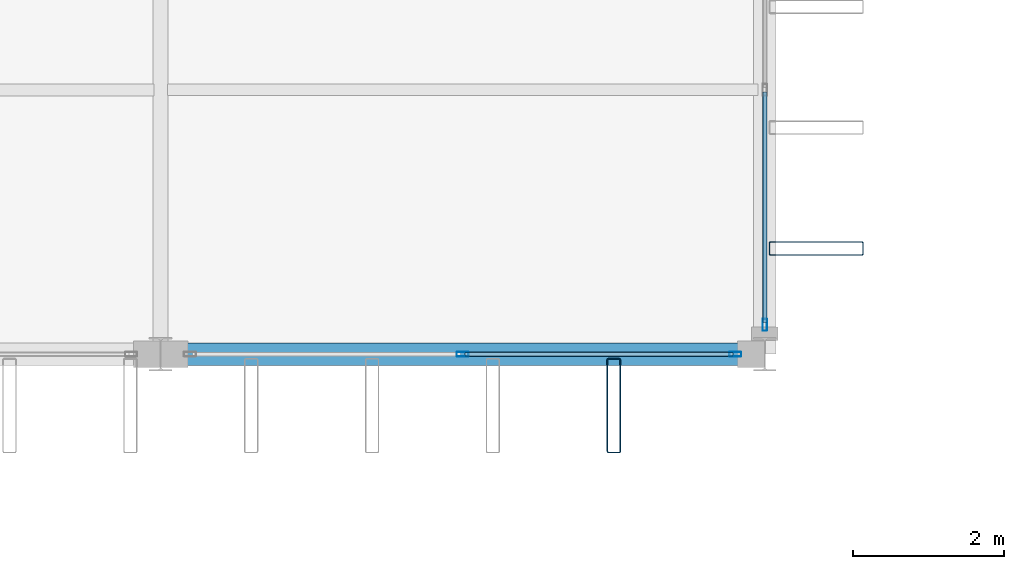
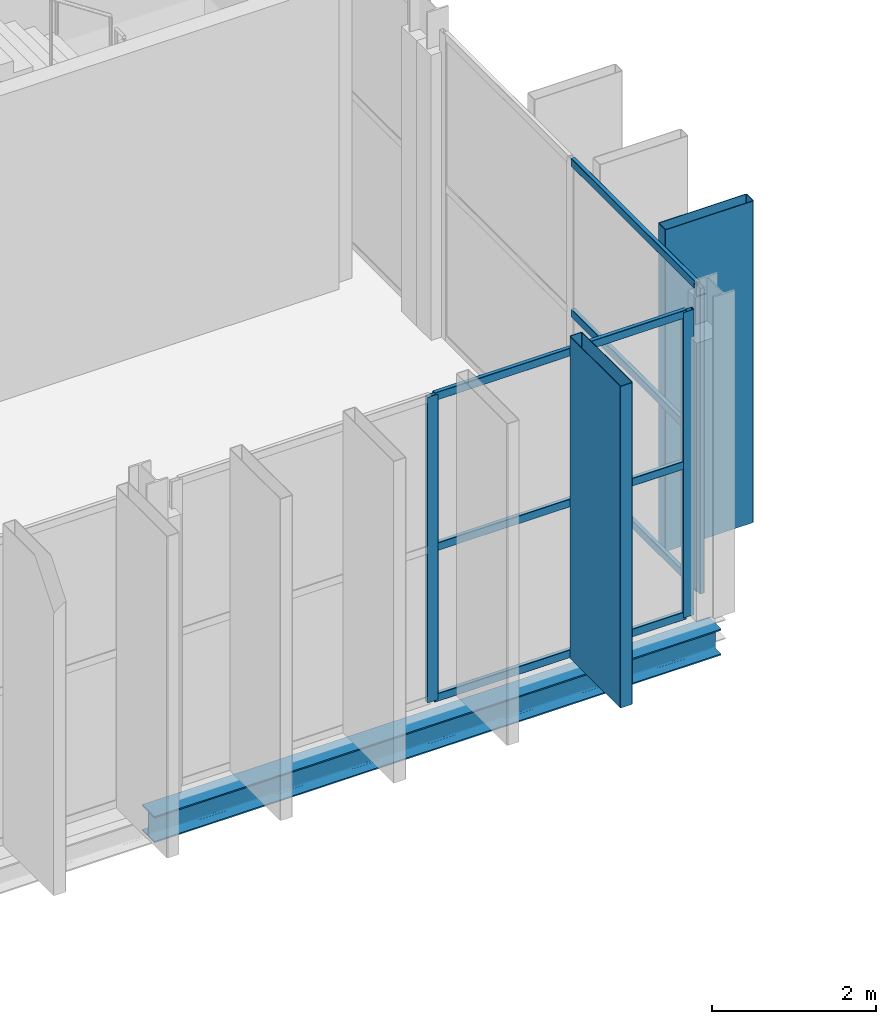
# One storey, part 30 of 120: 11 members, 1 beam, 2 elements without a shape of their own.
"""IFC4 building model written with IfcOpenShell, lengths in metres."""

from ifc_helpers import new_model, si_unit, direction, frame, origin, origin_2d, place, context, subcontext, project, spatial, hollow_rectangle, i_section, extrude, material, layer, layer_set, material_profile, profile_set, type_object, element, aggregate, save


model = new_model("IFC4")

# Units and contexts
model_context = context("Model", 3, precision=1e-05, world=origin(), true_north=direction((0.0, 1.0)))
body_context = subcontext(model_context, "Body", "Model", "MODEL_VIEW")
ifc_project = project(units=[si_unit("LENGTHUNIT", "METRE"), si_unit("AREAUNIT", "SQUARE_METRE"), si_unit("VOLUMEUNIT", "CUBIC_METRE"), si_unit("PLANEANGLEUNIT", "RADIAN"), si_unit("MASSUNIT", "GRAM", prefix="KILO")], contexts=[model_context])

# Site, building, storey
site_placement = place(None, origin())
site = spatial("IfcSite", under=ifc_project, at=site_placement, CompositionType="ELEMENT")
building_placement = place(site_placement, origin())
building = spatial("IfcBuilding", under=site, at=building_placement, Name="Vekula Escarpment Museum", CompositionType="ELEMENT")
storey_placement = place(building_placement, frame((0.0, 0.0, 13.199951171875)))
storey = spatial("IfcBuildingStorey", under=building, at=storey_placement, Name="L03", CompositionType="ELEMENT", Elevation=13.199951171875)

# Beam
ifc_material_1 = material(Name="Steel S355", Category="steel")
ifc_material_profile_1 = material_profile(ifc_material_1, i_section(OverallWidth=0.300048828125, OverallDepth=0.389892578125, WebThickness=0.010986328125, FlangeThickness=0.01904296875, FilletRadius=0.027099609375, at=origin_2d()), Name="HEA 400")
ifc_profile_set_1 = profile_set([ifc_material_profile_1], Name="Steel S355")
beam_type = type_object("IfcBeamType", Name="BM-SPAN-HEA400", PredefinedType="SPANDREL", material=ifc_profile_set_1)
beam_placement = place(storey_placement, frame((118.0, 45.60009765625, -0.445068359375), z_axis=(1.0, 0.0, 0.0), x_axis=(0.0, 1.0, 0.0)))
element("IfcBeam", 1, at=beam_placement, inside=storey, type_object=beam_type, Name="Beam X L03 1321", PredefinedType="SPANDREL", context=body_context, shape_type="SweptSolid", body=[
    extrude(i_section(OverallWidth=0.300048828125, OverallDepth=0.389892578125, WebThickness=0.010986328125, FlangeThickness=0.01904296875, FilletRadius=0.027099609375, at=origin_2d()), origin(), (0.0, 0.0, 1.0), 8.0),
])

# Curtain wall, members
ifc_material_2 = material(Name="Aluminium thermally broken framing", Category="aluminium")
ifc_layer_1 = layer(ifc_material_2, 0.179931640625)
ifc_layer_set_1 = layer_set([ifc_layer_1], Name="Aluminium thermally broken framing")
curtain_wall_type_1 = type_object("IfcCurtainWallType", Name="CW-SYS-07", PredefinedType="NOTDEFINED", material=ifc_layer_set_1)
curtain_wall_1_placement = place(storey_placement, origin())
curtain_wall_1 = element("IfcCurtainWall", 2, at=curtain_wall_1_placement, inside=storey, type_object=curtain_wall_type_1, Name="Curtain Wall CW-L03-107", PredefinedType="NOTDEFINED")
ifc_material_3 = material(Name="Aluminium anodized mullion", Category="aluminium")
ifc_material_profile_2 = material_profile(ifc_material_3, hollow_rectangle(XDim=0.06005859375, YDim=0.159912109375, WallThickness=0.00390625, InnerFilletRadius=0.00390625, OuterFilletRadius=0.008056640625, at=origin_2d()), Name="ALU 160x60x4")
ifc_profile_set_2 = profile_set([ifc_material_profile_2], Name="Aluminium anodized mullion")
member_type_1 = type_object("IfcMemberType", Name="CW-MUL-160", PredefinedType="MULLION", material=ifc_profile_set_2)
member_1_placement = place(storey_placement, frame((122.0, 45.60009765625, 0.0), z_axis=(0.0, 0.0, 1.0), x_axis=(0.0, 1.0, 0.0)))
member_1 = element("IfcMember", 3, at=member_1_placement, type_object=member_type_1, Name="CW-07 mullion 2", PredefinedType="MULLION", context=body_context, shape_type="SweptSolid", body=[
    extrude(hollow_rectangle(XDim=0.06005859375, YDim=0.159912109375, WallThickness=0.00390625, InnerFilletRadius=0.00390625, OuterFilletRadius=0.008056640625, at=origin_2d()), origin(), (0.0, 0.0, 1.0), 4.56005859375),
])
member_2_placement = place(storey_placement, frame((125.610107421875, 45.60009765625, 0.0), z_axis=(0.0, 0.0, 1.0), x_axis=(0.0, 1.0, 0.0)))
member_2 = element("IfcMember", 4, at=member_2_placement, type_object=member_type_1, Name="CW-07 mullion 3", PredefinedType="MULLION", context=body_context, shape_type="SweptSolid", body=[
    extrude(hollow_rectangle(XDim=0.06005859375, YDim=0.159912109375, WallThickness=0.00390625, InnerFilletRadius=0.00390625, OuterFilletRadius=0.008056640625, at=origin_2d()), origin(), (0.0, 0.0, 1.0), 4.56005859375),
])

# Curtain wall, member
ifc_material_4 = material(Name="Aluminium thermally broken framing", Category="aluminium")
ifc_layer_2 = layer(ifc_material_4, 0.179931640625)
ifc_layer_set_2 = layer_set([ifc_layer_2], Name="Aluminium thermally broken framing")
curtain_wall_type_2 = type_object("IfcCurtainWallType", Name="CW-SYS-08", PredefinedType="NOTDEFINED", material=ifc_layer_set_2)
curtain_wall_2_placement = place(storey_placement, origin())
curtain_wall_2 = element("IfcCurtainWall", 5, at=curtain_wall_2_placement, inside=storey, type_object=curtain_wall_type_2, Name="Curtain Wall CW-L03-108", PredefinedType="NOTDEFINED")
member_3_placement = place(storey_placement, frame((126.0, 45.989990234375, 0.0), z_axis=(0.0, 0.0, 1.0), x_axis=(-1.0, 0.0, 0.0)))
member_3 = element("IfcMember", 6, at=member_3_placement, type_object=member_type_1, Name="CW-08 mullion 1", PredefinedType="MULLION", context=body_context, shape_type="SweptSolid", body=[
    extrude(hollow_rectangle(XDim=0.06005859375, YDim=0.159912109375, WallThickness=0.00390625, InnerFilletRadius=0.00390625, OuterFilletRadius=0.008056640625, at=origin_2d()), origin(), (0.0, 0.0, 1.0), 4.56005859375),
])

# Member
ifc_material_5 = material(Name="Aluminium anodized transom", Category="aluminium")
ifc_material_profile_3 = material_profile(ifc_material_5, hollow_rectangle(XDim=0.06005859375, YDim=0.1201171875, WallThickness=0.00390625, InnerFilletRadius=0.00390625, OuterFilletRadius=0.008056640625, at=origin_2d()), Name="ALU 120x60x4")
ifc_profile_set_3 = profile_set([ifc_material_profile_3], Name="Aluminium anodized transom")
member_type_2 = type_object("IfcMemberType", Name="CW-TRN-120", PredefinedType="USERDEFINED", material=ifc_profile_set_3)
member_4_placement = place(storey_placement, frame((122.030029296875, 45.60009765625, 0.030029296875), z_axis=(1.0, 0.0, 0.0), x_axis=(0.0, 1.0, 0.0)))
member_4 = element("IfcMember", 7, at=member_4_placement, type_object=member_type_2, Name="CW-07 transom 2.1", ObjectType="TRANSOM", PredefinedType="USERDEFINED", context=body_context, shape_type="SweptSolid", body=[
    extrude(hollow_rectangle(XDim=0.06005859375, YDim=0.1201171875, WallThickness=0.00390625, InnerFilletRadius=0.00390625, OuterFilletRadius=0.008056640625, at=origin_2d()), origin(), (0.0, 0.0, 1.0), 3.550048828125),
])

member_5_placement = place(storey_placement, frame((122.030029296875, 45.60009765625, 2.280029296875), z_axis=(1.0, 0.0, 0.0), x_axis=(0.0, 1.0, 0.0)))
member_5 = element("IfcMember", 8, at=member_5_placement, type_object=member_type_2, Name="CW-07 transom 2.2", ObjectType="TRANSOM", PredefinedType="USERDEFINED", context=body_context, shape_type="SweptSolid", body=[
    extrude(hollow_rectangle(XDim=0.06005859375, YDim=0.1201171875, WallThickness=0.00390625, InnerFilletRadius=0.00390625, OuterFilletRadius=0.008056640625, at=origin_2d()), origin(), (0.0, 0.0, 1.0), 3.550048828125),
])

member_6_placement = place(storey_placement, frame((122.030029296875, 45.60009765625, 4.530029296875), z_axis=(1.0, 0.0, 0.0), x_axis=(0.0, 1.0, 0.0)))
member_6 = element("IfcMember", 9, at=member_6_placement, type_object=member_type_2, Name="CW-07 transom 2.3", ObjectType="TRANSOM", PredefinedType="USERDEFINED", context=body_context, shape_type="SweptSolid", body=[
    extrude(hollow_rectangle(XDim=0.06005859375, YDim=0.1201171875, WallThickness=0.00390625, InnerFilletRadius=0.00390625, OuterFilletRadius=0.008056640625, at=origin_2d()), origin(), (0.0, 0.0, 1.0), 3.550048828125),
])

aggregate(curtain_wall_1, [member_1, member_2, member_4, member_5, member_6])

member_7_placement = place(storey_placement, frame((126.0, 46.02001953125, 0.030029296875), z_axis=(0.0, 1.0, 0.0), x_axis=(-1.0, 0.0, 0.0)))
member_7 = element("IfcMember", 10, at=member_7_placement, type_object=member_type_2, Name="CW-08 transom 1.1", ObjectType="TRANSOM", PredefinedType="USERDEFINED", context=body_context, shape_type="SweptSolid", body=[
    extrude(hollow_rectangle(XDim=0.06005859375, YDim=0.1201171875, WallThickness=0.00390625, InnerFilletRadius=0.00390625, OuterFilletRadius=0.008056640625, at=origin_2d()), origin(), (0.0, 0.0, 1.0), 3.050048828125),
])

member_8_placement = place(storey_placement, frame((126.0, 46.02001953125, 2.280029296875), z_axis=(0.0, 1.0, 0.0), x_axis=(-1.0, 0.0, 0.0)))
member_8 = element("IfcMember", 11, at=member_8_placement, type_object=member_type_2, Name="CW-08 transom 1.2", ObjectType="TRANSOM", PredefinedType="USERDEFINED", context=body_context, shape_type="SweptSolid", body=[
    extrude(hollow_rectangle(XDim=0.06005859375, YDim=0.1201171875, WallThickness=0.00390625, InnerFilletRadius=0.00390625, OuterFilletRadius=0.008056640625, at=origin_2d()), origin(), (0.0, 0.0, 1.0), 3.050048828125),
])

member_9_placement = place(storey_placement, frame((126.0, 46.02001953125, 4.530029296875), z_axis=(0.0, 1.0, 0.0), x_axis=(-1.0, 0.0, 0.0)))
member_9 = element("IfcMember", 12, at=member_9_placement, type_object=member_type_2, Name="CW-08 transom 1.3", ObjectType="TRANSOM", PredefinedType="USERDEFINED", context=body_context, shape_type="SweptSolid", body=[
    extrude(hollow_rectangle(XDim=0.06005859375, YDim=0.1201171875, WallThickness=0.00390625, InnerFilletRadius=0.00390625, OuterFilletRadius=0.008056640625, at=origin_2d()), origin(), (0.0, 0.0, 1.0), 3.050048828125),
])

aggregate(curtain_wall_2, [member_3, member_7, member_8, member_9])

# Members
ifc_material_6 = material(Name="Steel S355 weathered bronze solar fin", Category="steel")
ifc_material_profile_4 = material_profile(ifc_material_6, hollow_rectangle(XDim=0.179931640625, YDim=1.25, WallThickness=0.010009765625, InnerFilletRadius=0.010009765625, OuterFilletRadius=0.02001953125, at=origin_2d()), Name="RHS 1250x180x10")
ifc_profile_set_4 = profile_set([ifc_material_profile_4], Name="Steel S355 weathered bronze solar fin")
member_type_3 = type_object("IfcMemberType", Name="MB-SOLAR-FIN", PredefinedType="USERDEFINED", material=ifc_profile_set_4)
for number, where, z_axis, x_axis, name in (
    (13, (124.0, 44.919921875, 0.0), (0.0, 0.0, 1.0), (1.0, 0.0, 0.0), "Great Hall Vertical Solar Fin 0128"),
    (14, (126.679931640625, 47.0, 0.0), (0.0, 0.0, 1.0), (0.0, 1.0, 0.0), "Great Hall Vertical Solar Fin 0353"),
):
    element("IfcMember", number, at=place(storey_placement, frame(where, z_axis=z_axis, x_axis=x_axis)), inside=storey, type_object=member_type_3, Name=name, ObjectType="SOLAR FIN", PredefinedType="USERDEFINED", context=body_context, shape_type="SweptSolid", body=[
        extrude(hollow_rectangle(XDim=0.179931640625, YDim=1.25, WallThickness=0.010009765625, InnerFilletRadius=0.010009765625, OuterFilletRadius=0.02001953125, at=origin_2d()), origin(), (0.0, 0.0, 1.0), 4.800048828125),
    ])

save(model, "model.ifc")
